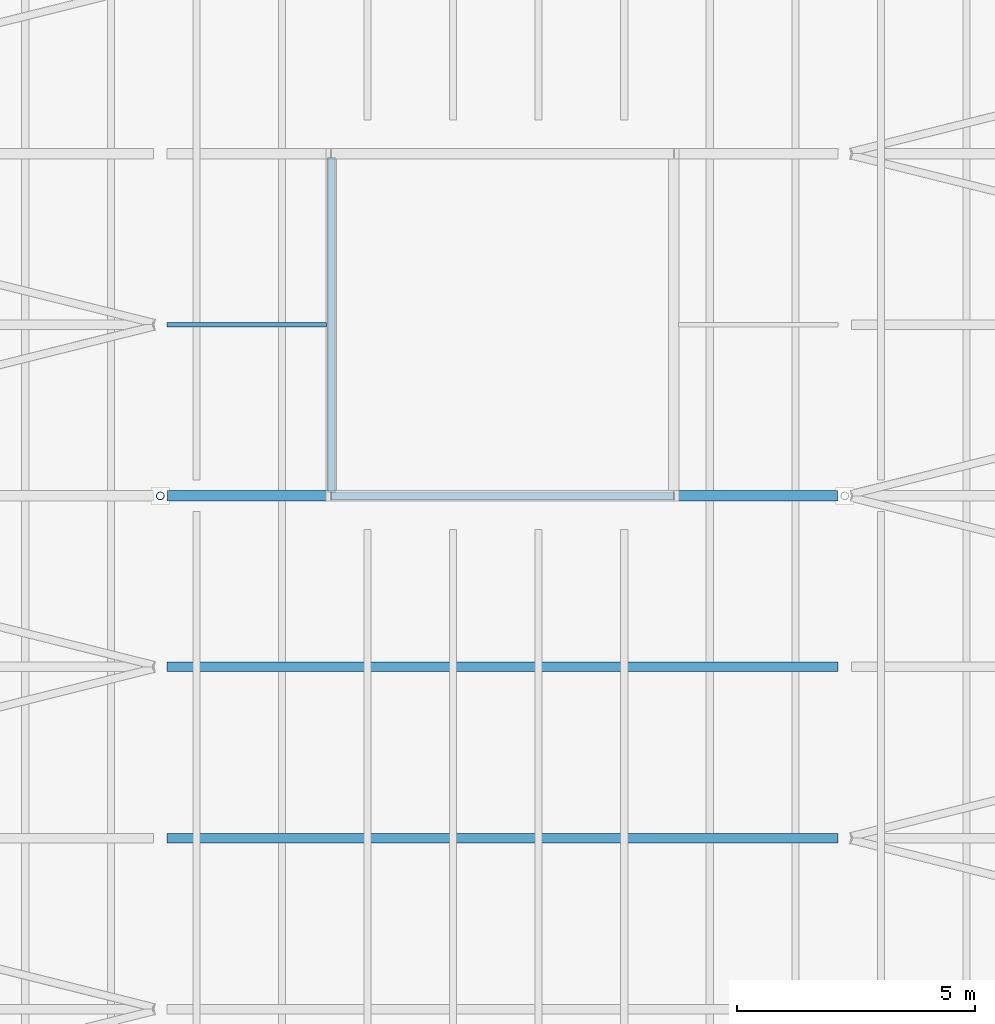
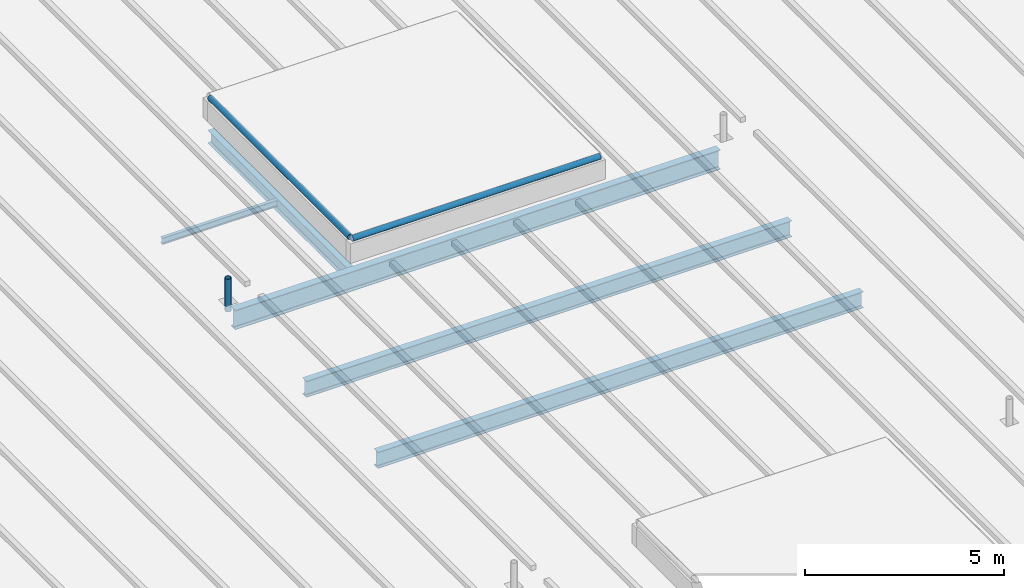
# One storey, part 31 of 120: 5 beams, 3 members.
"""IFC4 building model written with IfcOpenShell, lengths in metres."""

from ifc_helpers import new_model, si_unit, direction, frame, origin, origin_2d, place, context, subcontext, project, spatial, hollow_circle, i_section, extrude, material, material_profile, profile_set, type_object, element, save


model = new_model("IFC4")

# Units and contexts
model_context = context("Model", 3, precision=1e-05, world=origin(), true_north=direction((0.0, 1.0)))
body_context = subcontext(model_context, "Body", "Model", "MODEL_VIEW")
ifc_project = project(units=[si_unit("LENGTHUNIT", "METRE"), si_unit("AREAUNIT", "SQUARE_METRE"), si_unit("VOLUMEUNIT", "CUBIC_METRE"), si_unit("PLANEANGLEUNIT", "RADIAN"), si_unit("MASSUNIT", "GRAM", prefix="KILO")], contexts=[model_context])

# Site, building, storey
site_placement = place(None, origin())
site = spatial("IfcSite", under=ifc_project, at=site_placement, CompositionType="ELEMENT")
building_placement = place(site_placement, origin())
building = spatial("IfcBuilding", under=site, at=building_placement, Name="Kupolbacken Congress Centre", CompositionType="ELEMENT")
storey_placement = place(building_placement, frame((0.0, 0.0, 21.60009765625)))
storey = spatial("IfcBuildingStorey", under=building, at=storey_placement, Name="L06", CompositionType="ELEMENT", Elevation=21.60009765625)

# Beams
ifc_material_1 = material(Name="Steel S355", Category="steel")
ifc_material_profile_1 = material_profile(ifc_material_1, i_section(OverallWidth=0.10009765625, OverallDepth=0.199951171875, WebThickness=0.005615234375, FlangeThickness=0.008544921875, FilletRadius=0.011962890625, at=origin_2d()), Name="IPE 200")
ifc_profile_set_1 = profile_set([ifc_material_profile_1], Name="Steel S355")
beam_type_1 = type_object("IfcBeamType", Name="B01 beam IPE 200", PredefinedType="BEAM", material=ifc_profile_set_1)
beam_1_placement = place(storey_placement, frame((136.945068359375, 100.800048828125, -0.10009765625), z_axis=(1.0, 0.0, 0.0), x_axis=(0.0, 1.0, 0.0)))
element("IfcBeam", 1, at=beam_1_placement, inside=storey, type_object=beam_type_1, Name="HR/P16-04-0", PredefinedType="BEAM", context=body_context, shape_type="SweptSolid", body=[
    extrude(i_section(OverallWidth=0.10009765625, OverallDepth=0.199951171875, WebThickness=0.005615234375, FlangeThickness=0.008544921875, FilletRadius=0.011962890625, at=origin_2d()), origin(), (0.0, 0.0, 1.0), 3.35498046875),
])
ifc_material_2 = material(Name="Steel S355", Category="steel")
ifc_material_profile_2 = material_profile(ifc_material_2, i_section(OverallWidth=0.179931640625, OverallDepth=0.39990234375, WebThickness=0.008544921875, FlangeThickness=0.013427734375, FilletRadius=0.02099609375, at=origin_2d()), Name="IPE 400")
ifc_profile_set_2 = profile_set([ifc_material_profile_2], Name="Steel S355")
beam_type_2 = type_object("IfcBeamType", Name="B07 beam IPE 400", PredefinedType="BEAM", material=ifc_profile_set_2)
beam_2_placement = place(storey_placement, frame((140.39990234375, 97.300048828125, -0.2001953125), z_axis=(0.0, 1.0, 0.0), x_axis=(-1.0, 0.0, 0.0)))
element("IfcBeam", 2, at=beam_2_placement, inside=storey, type_object=beam_type_2, Name="HR/CT6W", PredefinedType="BEAM", context=body_context, shape_type="SweptSolid", body=[
    extrude(i_section(OverallWidth=0.179931640625, OverallDepth=0.39990234375, WebThickness=0.008544921875, FlangeThickness=0.013427734375, FilletRadius=0.02099609375, at=origin_2d()), origin(), (0.0, 0.0, 1.0), 7.0),
])
ifc_material_3 = material(Name="Steel S355", Category="steel")
ifc_material_profile_3 = material_profile(ifc_material_3, i_section(OverallWidth=0.199951171875, OverallDepth=0.5, WebThickness=0.01025390625, FlangeThickness=0.01611328125, FilletRadius=0.02099609375, at=origin_2d()), Name="IPE 500")
ifc_profile_set_3 = profile_set([ifc_material_profile_3], Name="Steel S355")
beam_type_3 = type_object("IfcBeamType", Name="B09 beam IPE 500", PredefinedType="BEAM", material=ifc_profile_set_3)
for number, where, z_axis, x_axis, name in (
    (3, (136.945068359375, 90.0, -0.25), (1.0, 0.0, 0.0), (0.0, 1.0, 0.0), "HR/P13-04"),
    (4, (136.945068359375, 93.60009765625, -0.25), (1.0, 0.0, 0.0), (0.0, 1.0, 0.0), "HR/P14-04"),
):
    element("IfcBeam", number, at=place(storey_placement, frame(where, z_axis=z_axis, x_axis=x_axis)), inside=storey, type_object=beam_type_3, Name=name, PredefinedType="BEAM", context=body_context, shape_type="SweptSolid", body=[
        extrude(i_section(OverallWidth=0.199951171875, OverallDepth=0.5, WebThickness=0.01025390625, FlangeThickness=0.01611328125, FilletRadius=0.02099609375, at=origin_2d()), origin(), (0.0, 0.0, 1.0), 14.10986328125),
    ])
ifc_material_4 = material(Name="Steel S355", Category="steel")
ifc_material_profile_4 = material_profile(ifc_material_4, i_section(OverallWidth=0.219970703125, OverallDepth=0.60009765625, WebThickness=0.011962890625, FlangeThickness=0.01904296875, FilletRadius=0.02392578125, at=origin_2d()), Name="IPE 600")
ifc_profile_set_4 = profile_set([ifc_material_profile_4], Name="Steel S355")
beam_type_4 = type_object("IfcBeamType", Name="B11 beam IPE 600", PredefinedType="BEAM", material=ifc_profile_set_4)
beam_3_placement = place(storey_placement, frame((136.945068359375, 97.199951171875, -0.300048828125), z_axis=(1.0, 0.0, 0.0), x_axis=(0.0, 1.0, 0.0)))
element("IfcBeam", 5, at=beam_3_placement, inside=storey, type_object=beam_type_4, Name="HR/X15-04", PredefinedType="BEAM", context=body_context, shape_type="SweptSolid", body=[
    extrude(i_section(OverallWidth=0.219970703125, OverallDepth=0.60009765625, WebThickness=0.011962890625, FlangeThickness=0.01904296875, FilletRadius=0.02392578125, at=origin_2d()), origin(), (0.0, 0.0, 1.0), 14.10986328125),
])

# Members
ifc_material_5 = material(Name="Steel S355", Category="steel")
ifc_material_profile_5 = material_profile(ifc_material_5, hollow_circle(Radius=0.084228515625, WallThickness=0.008056640625, at=origin_2d()), Name="CHS 168.3 x 8")
ifc_profile_set_5 = profile_set([ifc_material_profile_5], Name="Steel S355")
member_type_1 = type_object("IfcMemberType", Name="M20 transfer truss post CHS 168.3 x 8", PredefinedType="STRUT", material=ifc_profile_set_5)
member_1_placement = place(storey_placement, frame((136.800048828125, 97.199951171875, -0.010009765625), z_axis=(0.0, 0.0, 1.0), x_axis=(1.0, 0.0, 0.0)))
element("IfcMember", 6, at=member_1_placement, inside=storey, type_object=member_type_1, Name="Roof stay anchor post M4N.1", PredefinedType="STRUT", context=body_context, shape_type="SweptSolid", body=[
    extrude(hollow_circle(Radius=0.084228515625, WallThickness=0.008056640625, at=origin_2d()), origin(), (0.0, 0.0, 1.0), 1.010009765625),
])
ifc_material_6 = material(Name="Steel S355", Category="steel")
ifc_material_profile_6 = material_profile(ifc_material_6, hollow_circle(Radius=0.084228515625, WallThickness=0.008056640625, at=origin_2d()), Name="CHS 168.3 x 8")
ifc_profile_set_6 = profile_set([ifc_material_profile_6], Name="Steel S355")
member_type_2 = type_object("IfcMemberType", Name="M21 brace CHS 168.3 x 8", PredefinedType="BRACE", material=ifc_profile_set_6)
member_2_placement = place(storey_placement, frame((140.39990234375, 97.199951171875, 0.944091796875), z_axis=(1.0, 0.0, 0.0), x_axis=(0.0, 1.0, 0.0)))
element("IfcMember", 7, at=member_2_placement, inside=storey, type_object=member_type_2, Name="RD/RL6/FS", PredefinedType="BRACE", context=body_context, shape_type="SweptSolid", body=[
    extrude(hollow_circle(Radius=0.084228515625, WallThickness=0.008056640625, at=origin_2d()), origin(), (0.0, 0.0, 1.0), 7.2001953125),
])
member_3_placement = place(storey_placement, frame((140.39990234375, 97.274169921875, 0.944091796875), z_axis=(0.0, 1.0, 0.0), x_axis=(-1.0, 0.0, 0.0)))
element("IfcMember", 8, at=member_3_placement, inside=storey, type_object=member_type_2, Name="RD/RL6/FW", PredefinedType="BRACE", context=body_context, shape_type="SweptSolid", body=[
    extrude(hollow_circle(Radius=0.084228515625, WallThickness=0.008056640625, at=origin_2d()), origin(), (0.0, 0.0, 1.0), 7.0517578125),
])

save(model, "model.ifc")
